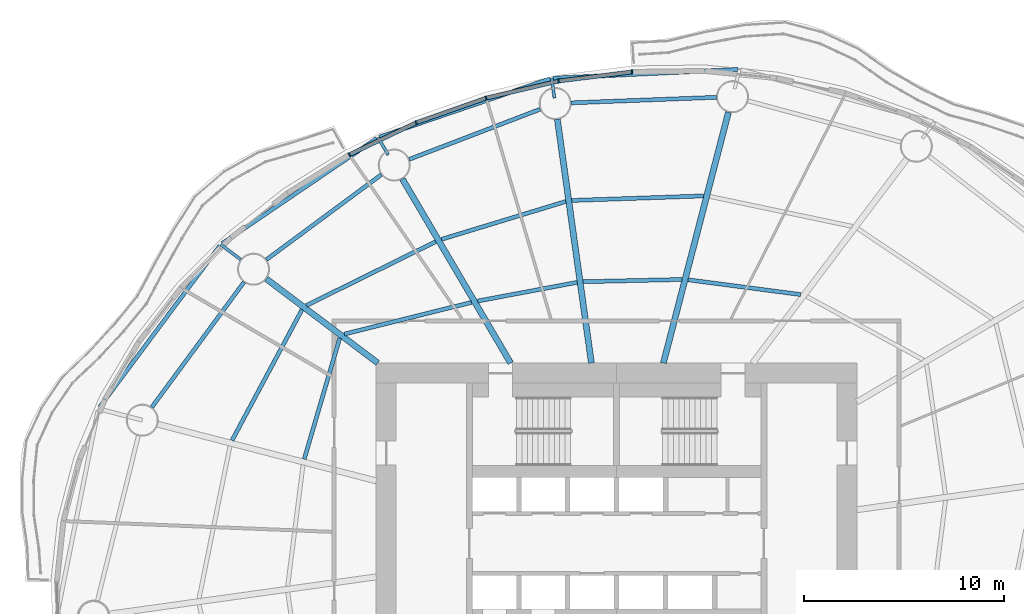
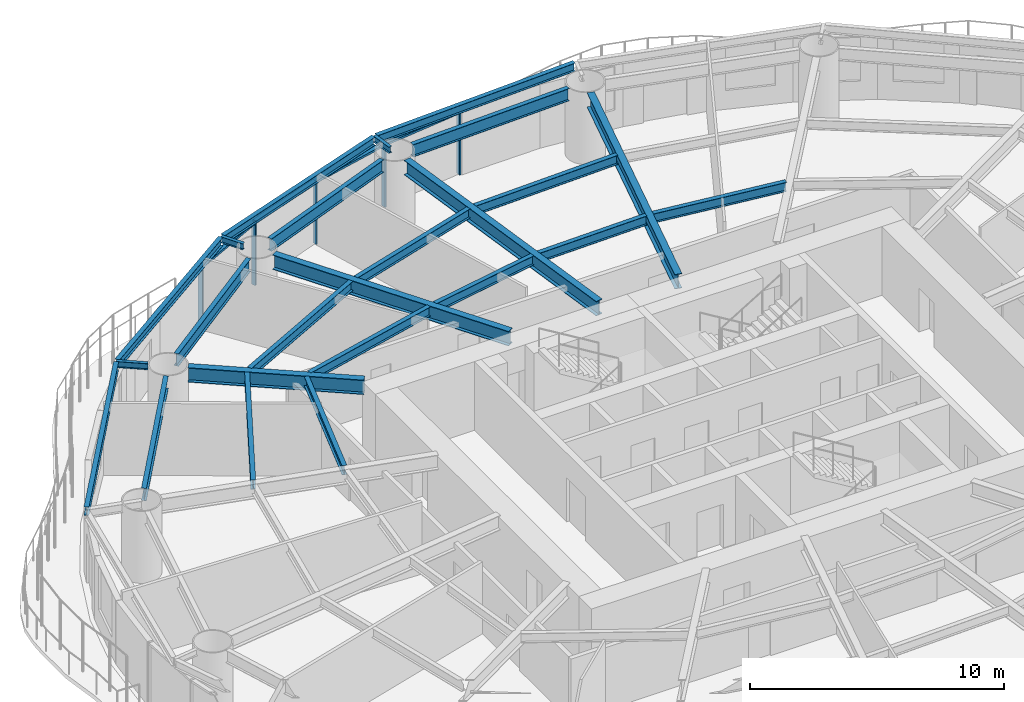
# One storey, part 4 of 16: 24 beams, 9 members, 4 elements without a shape of their own.
"""IFC4 building model written with IfcOpenShell, lengths in metres."""

from ifc_helpers import new_model, si_unit, direction, frame, origin, origin_2d, place, context, subcontext, project, spatial, rectangle, i_section, extrude, material, material_profile, profile_set, type_object, element, aggregate, save


model = new_model("IFC4")

# Units and contexts
model_context = context("Model", 3, precision=1e-05, world=origin(), true_north=direction((0.0, 1.0)))
body_context = subcontext(model_context, "Body", "Model", "MODEL_VIEW")
ifc_project = project(units=[si_unit("LENGTHUNIT", "METRE"), si_unit("AREAUNIT", "SQUARE_METRE"), si_unit("VOLUMEUNIT", "CUBIC_METRE"), si_unit("PLANEANGLEUNIT", "RADIAN"), si_unit("MASSUNIT", "GRAM", prefix="KILO")], contexts=[model_context])

# Site, building, storey
site_placement = place(None, origin())
site = spatial("IfcSite", under=ifc_project, at=site_placement, CompositionType="ELEMENT")
building_placement = place(site_placement, origin())
building = spatial("IfcBuilding", under=site, at=building_placement, Name="Vermilion Reach Broadcast Tower", CompositionType="ELEMENT")
storey_placement = place(building_placement, frame((0.0, 0.0, 99.39990234375)))
storey = spatial("IfcBuildingStorey", under=building, at=storey_placement, Name="L22", CompositionType="ELEMENT", Elevation=99.39990234375)

# Beams
ifc_material_1 = material(Name="Steel S355J2", Category="steel")
ifc_material_profile_1 = material_profile(ifc_material_1, i_section(OverallWidth=0.199951171875, OverallDepth=0.39990234375, WebThickness=0.008056640625, FlangeThickness=0.012939453125, at=origin_2d()), Name="S355J2 HN 400x200x8x13")
ifc_profile_set_1 = profile_set([ifc_material_profile_1], Name="Steel S355J2")
beam_type_1 = type_object("IfcBeamType", Name="EB2 HN 400x200x8x13", PredefinedType="BEAM", material=ifc_profile_set_1)
beam_1_placement = place(storey_placement, frame((0.061767578125, 23.65380859375, 3.25), z_axis=(-0.998890624316, -0.047090558003, 0.0), x_axis=(0.047090558003, -0.998890624316, 0.0)))
element("IfcBeam", 1, at=beam_1_placement, inside=storey, type_object=beam_type_1, Name="Edge beam EB2-03", PredefinedType="BEAM", context=body_context, shape_type="SweptSolid", body=[
    extrude(i_section(OverallWidth=0.199951171875, OverallDepth=0.39990234375, WebThickness=0.008056640625, FlangeThickness=0.012939453125, at=origin_2d()), origin(), (0.0, 0.0, 1.0), 9.23876953125),
])
beam_2_placement = place(storey_placement, frame((-9.314208984375, 23.190673828125, 3.25), z_axis=(-0.946284109578, -0.323336332571, 0.0), x_axis=(0.323336332571, -0.946284109578, 0.0)))
element("IfcBeam", 2, at=beam_2_placement, inside=storey, type_object=beam_type_1, Name="Edge beam EB2-04", PredefinedType="BEAM", context=body_context, shape_type="SweptSolid", body=[
    extrude(i_section(OverallWidth=0.199951171875, OverallDepth=0.39990234375, WebThickness=0.008056640625, FlangeThickness=0.012939453125, at=origin_2d()), origin(), (0.0, 0.0, 1.0), 9.004150390625),
])
beam_3_placement = place(storey_placement, frame((-17.96923828125, 20.21240234375, 3.25), z_axis=(-0.827161220219, -0.561964692633, 0.0), x_axis=(0.561964692633, -0.827161220219, 0.0)))
element("IfcBeam", 3, at=beam_3_placement, inside=storey, type_object=beam_type_1, Name="Edge beam EB2-05", PredefinedType="BEAM", context=body_context, shape_type="SweptSolid", body=[
    extrude(i_section(OverallWidth=0.199951171875, OverallDepth=0.39990234375, WebThickness=0.008056640625, FlangeThickness=0.012939453125, at=origin_2d()), origin(), (0.0, 0.0, 1.0), 9.34130859375),
])
beam_4_placement = place(storey_placement, frame((-25.806396484375, 14.858154296875, 3.25), z_axis=(-0.5973798961, -0.801958390277, 0.0), x_axis=(0.801958390277, -0.5973798961, 0.0)))
element("IfcBeam", 4, at=beam_4_placement, inside=storey, type_object=beam_type_1, Name="Edge beam EB2-06", PredefinedType="BEAM", context=body_context, shape_type="SweptSolid", body=[
    extrude(i_section(OverallWidth=0.199951171875, OverallDepth=0.39990234375, WebThickness=0.008056640625, FlangeThickness=0.012939453125, at=origin_2d()), origin(), (0.0, 0.0, 1.0), 10.0458984375),
])
ifc_material_2 = material(Name="Steel S355J2", Category="steel")
ifc_material_profile_2 = material_profile(ifc_material_2, i_section(OverallWidth=0.300048828125, OverallDepth=0.699951171875, WebThickness=0.012939453125, FlangeThickness=0.02392578125, at=origin_2d()), Name="S355J2 HN 700x300x13x24")
ifc_profile_set_2 = profile_set([ifc_material_profile_2], Name="Steel S355J2")
beam_type_2 = type_object("IfcBeamType", Name="G2 HN 700x300x13x24", PredefinedType="BEAM", material=ifc_profile_set_2)
beam_5_placement = place(storey_placement, frame((-3.6640625, 9.0, 3.10009765625), z_axis=(0.25121695316, 0.967930804575, 0.0), x_axis=(-0.967930804575, 0.25121695316, 0.0)))
element("IfcBeam", 5, at=beam_5_placement, inside=storey, type_object=beam_type_2, Name="Girder G2-03", PredefinedType="BEAM", context=body_context, shape_type="SweptSolid", body=[
    extrude(i_section(OverallWidth=0.300048828125, OverallDepth=0.699951171875, WebThickness=0.012939453125, FlangeThickness=0.02392578125, at=origin_2d()), origin(), (0.0, 0.0, 1.0), 12.93505859375),
])
beam_6_placement = place(storey_placement, frame((-7.2568359375, 9.0, 3.10009765625), z_axis=(-0.138317561234, 0.990387930184, 0.0), x_axis=(-0.990387930184, -0.138317561234, 0.0)))
element("IfcBeam", 6, at=beam_6_placement, inside=storey, type_object=beam_type_2, Name="Girder G2-04", PredefinedType="BEAM", context=body_context, shape_type="SweptSolid", body=[
    extrude(i_section(OverallWidth=0.300048828125, OverallDepth=0.699951171875, WebThickness=0.012939453125, FlangeThickness=0.02392578125, at=origin_2d()), origin(), (0.0, 0.0, 1.0), 12.281494140625),
])
beam_7_placement = place(storey_placement, frame((-11.290771484375, 9.0, 3.10009765625), z_axis=(-0.506783943634, 0.862073102744, 0.0), x_axis=(-0.862073102744, -0.506783943634, 0.0)))
element("IfcBeam", 7, at=beam_7_placement, inside=storey, type_object=beam_type_2, Name="Girder G2-05", PredefinedType="BEAM", context=body_context, shape_type="SweptSolid", body=[
    extrude(i_section(OverallWidth=0.300048828125, OverallDepth=0.699951171875, WebThickness=0.012939453125, FlangeThickness=0.02392578125, at=origin_2d()), origin(), (0.0, 0.0, 1.0), 10.661865234375),
])
beam_8_placement = place(storey_placement, frame((-17.921630859375, 9.0, 3.10009765625), z_axis=(-0.798113534072, 0.602507084382, 0.0), x_axis=(-0.602507084382, -0.798113534072, 0.0)))
element("IfcBeam", 8, at=beam_8_placement, inside=storey, type_object=beam_type_2, Name="Girder G2-06", PredefinedType="BEAM", context=body_context, shape_type="SweptSolid", body=[
    extrude(i_section(OverallWidth=0.300048828125, OverallDepth=0.699951171875, WebThickness=0.012939453125, FlangeThickness=0.02392578125, at=origin_2d()), origin(), (0.0, 0.0, 1.0), 6.971923828125),
])
ifc_material_3 = material(Name="Steel S355J2", Category="steel")
ifc_material_profile_3 = material_profile(ifc_material_3, i_section(OverallWidth=0.14990234375, OverallDepth=0.300048828125, WebThickness=0.006591796875, FlangeThickness=0.009033203125, at=origin_2d()), Name="S355J2 HN 300x150x6.5x9")
ifc_profile_set_3 = profile_set([ifc_material_profile_3], Name="Steel S355J2")
beam_type_3 = type_object("IfcBeamType", Name="GS2 HN 300x150x6.5x9", PredefinedType="BEAM", material=ifc_profile_set_3)
for number, where, z_axis, x_axis, name in (
    (9, (-9.103759765625, 22.224853515625, 3.300048828125), (-0.13817375644, 0.990408003315, 0.0), (-0.990408003315, -0.13817375644, 0.0), "Cantilever stub GS2-04"),
    (10, (-17.400390625, 19.392578125, 3.300048828125), (-0.506646610102, 0.862153821816, 0.0), (-0.862153821816, -0.506646610102, 0.0), "Cantilever stub GS2-05"),
):
    element("IfcBeam", number, at=place(storey_placement, frame(where, z_axis=z_axis, x_axis=x_axis)), inside=storey, type_object=beam_type_3, Name=name, PredefinedType="BEAM", context=body_context, shape_type="SweptSolid", body=[
        extrude(i_section(OverallWidth=0.14990234375, OverallDepth=0.300048828125, WebThickness=0.006591796875, FlangeThickness=0.009033203125, at=origin_2d()), origin(), (0.0, 0.0, 1.0), 1.0),
    ])
beam_9_placement = place(storey_placement, frame((-24.762939453125, 14.16455078125, 3.300048828125), z_axis=(-0.798075838613, 0.602557014582, 0.0), x_axis=(-0.602557014582, -0.798075838613, 0.0)))
element("IfcBeam", 11, at=beam_9_placement, inside=storey, type_object=beam_type_3, Name="Cantilever stub GS2-06", PredefinedType="BEAM", context=body_context, shape_type="SweptSolid", body=[
    extrude(i_section(OverallWidth=0.14990234375, OverallDepth=0.300048828125, WebThickness=0.006591796875, FlangeThickness=0.009033203125, at=origin_2d()), origin(), (0.0, 0.0, 1.0), 1.251220703125),
])
ifc_material_4 = material(Name="Steel S355J2", Category="steel")
ifc_material_profile_4 = material_profile(ifc_material_4, i_section(OverallWidth=0.199951171875, OverallDepth=0.60009765625, WebThickness=0.010986328125, FlangeThickness=0.01708984375, at=origin_2d()), Name="S355J2 HN 600x200x11x17")
ifc_profile_set_4 = profile_set([ifc_material_profile_4], Name="Steel S355J2")
beam_type_4 = type_object("IfcBeamType", Name="RB2 HN 600x200x11x17", PredefinedType="BEAM", material=ifc_profile_set_4)
beam_10_placement = place(storey_placement, frame((-1.012939453125, 22.263916015625, 3.150146484375), z_axis=(-0.999268558327, -0.038240663418, 0.0), x_axis=(0.038240663418, -0.999268558327, 0.0)))
element("IfcBeam", 12, at=beam_10_placement, inside=storey, type_object=beam_type_4, Name="Ring beam RB2-03", PredefinedType="BEAM", context=body_context, shape_type="SweptSolid", body=[
    extrude(i_section(OverallWidth=0.199951171875, OverallDepth=0.60009765625, WebThickness=0.010986328125, FlangeThickness=0.01708984375, at=origin_2d()), origin(), (0.0, 0.0, 1.0), 7.259033203125),
])
beam_11_placement = place(storey_placement, frame((-9.813232421875, 21.669677734375, 3.150146484375), z_axis=(-0.933939237212, -0.357431813353, 0.0), x_axis=(0.357431813353, -0.933939237212, 0.0)))
element("IfcBeam", 13, at=beam_11_placement, inside=storey, type_object=beam_type_4, Name="Ring beam RB2-04", PredefinedType="BEAM", context=body_context, shape_type="SweptSolid", body=[
    extrude(i_section(OverallWidth=0.199951171875, OverallDepth=0.60009765625, WebThickness=0.010986328125, FlangeThickness=0.01708984375, at=origin_2d()), origin(), (0.0, 0.0, 1.0), 7.001953125),
])
beam_12_placement = place(storey_placement, frame((-17.74267578125, 18.4052734375, 3.150146484375), z_axis=(-0.803832742218, -0.594855379515, 0.0), x_axis=(0.594855379515, -0.803832742218, 0.0)))
element("IfcBeam", 14, at=beam_12_placement, inside=storey, type_object=beam_type_4, Name="Ring beam RB2-05", PredefinedType="BEAM", context=body_context, shape_type="SweptSolid", body=[
    extrude(i_section(OverallWidth=0.199951171875, OverallDepth=0.60009765625, WebThickness=0.010986328125, FlangeThickness=0.01708984375, at=origin_2d()), origin(), (0.0, 0.0, 1.0), 7.13916015625),
])
beam_13_placement = place(storey_placement, frame((-24.59912109375, 13.03857421875, 3.150146484375), z_axis=(-0.593250534798, -0.80501788984, 0.0), x_axis=(0.80501788984, -0.593250534798, 0.0)))
element("IfcBeam", 15, at=beam_13_placement, inside=storey, type_object=beam_type_4, Name="Ring beam RB2-06", PredefinedType="BEAM", context=body_context, shape_type="SweptSolid", body=[
    extrude(i_section(OverallWidth=0.199951171875, OverallDepth=0.60009765625, WebThickness=0.010986328125, FlangeThickness=0.01708984375, at=origin_2d()), origin(), (0.0, 0.0, 1.0), 7.76220703125),
])
ifc_material_5 = material(Name="Steel S355J2", Category="steel")
ifc_material_profile_5 = material_profile(ifc_material_5, i_section(OverallWidth=0.199951171875, OverallDepth=0.449951171875, WebThickness=0.009033203125, FlangeThickness=0.013916015625, at=origin_2d()), Name="S355J2 HN 450x200x9x14")
ifc_profile_set_5 = profile_set([ifc_material_profile_5], Name="Steel S355J2")
beam_type_5 = type_object("IfcBeamType", Name="SB2 HN 450x200x9x14", PredefinedType="BEAM", material=ifc_profile_set_5)
beam_14_placement = place(storey_placement, frame((3.185546875, 12.416748046875, 3.22509765625), z_axis=(-0.991498686864, 0.130116693573, 0.0), x_axis=(-0.130116693573, -0.991498686864, 0.0)))
element("IfcBeam", 16, at=beam_14_placement, inside=storey, type_object=beam_type_5, Name="Secondary beam SB2-02-1", PredefinedType="BEAM", context=body_context, shape_type="SweptSolid", body=[
    extrude(i_section(OverallWidth=0.199951171875, OverallDepth=0.449951171875, WebThickness=0.009033203125, FlangeThickness=0.013916015625, at=origin_2d()), origin(), (0.0, 0.0, 1.0), 5.66455078125),
])
beam_15_placement = place(storey_placement, frame((-2.73681640625, 13.169921875, 3.22509765625), z_axis=(-0.999742320425, -0.022700060602, 0.0), x_axis=(0.022700060602, -0.999742320425, 0.0)))
element("IfcBeam", 17, at=beam_15_placement, inside=storey, type_object=beam_type_5, Name="Secondary beam SB2-03-1", PredefinedType="BEAM", context=body_context, shape_type="SweptSolid", body=[
    extrude(i_section(OverallWidth=0.199951171875, OverallDepth=0.449951171875, WebThickness=0.009033203125, FlangeThickness=0.013916015625, at=origin_2d()), origin(), (0.0, 0.0, 1.0), 4.9365234375),
])
beam_16_placement = place(storey_placement, frame((-1.654052734375, 17.34130859375, 3.22509765625), z_axis=(-0.999404722387, -0.03449928797, 0.0), x_axis=(0.03449928797, -0.999404722387, 0.0)))
element("IfcBeam", 18, at=beam_16_placement, inside=storey, type_object=beam_type_5, Name="Secondary beam SB2-03-2", PredefinedType="BEAM", context=body_context, shape_type="SweptSolid", body=[
    extrude(i_section(OverallWidth=0.199951171875, OverallDepth=0.449951171875, WebThickness=0.009033203125, FlangeThickness=0.013916015625, at=origin_2d()), origin(), (0.0, 0.0, 1.0), 6.58837890625),
])
beam_17_placement = place(storey_placement, frame((-7.970703125, 13.026611328125, 3.22509765625), z_axis=(-0.982782890015, -0.184764149915, 0.0), x_axis=(0.184764149915, -0.982782890015, 0.0)))
element("IfcBeam", 19, at=beam_17_placement, inside=storey, type_object=beam_type_5, Name="Secondary beam SB2-04-1", PredefinedType="BEAM", context=body_context, shape_type="SweptSolid", body=[
    extrude(i_section(OverallWidth=0.199951171875, OverallDepth=0.449951171875, WebThickness=0.009033203125, FlangeThickness=0.013916015625, at=origin_2d()), origin(), (0.0, 0.0, 1.0), 5.051513671875),
])
beam_18_placement = place(storey_placement, frame((-8.53466796875, 17.064697265625, 3.22509765625), z_axis=(-0.956596430605, -0.291415972374, 0.0), x_axis=(0.291415972374, -0.956596430605, 0.0)))
element("IfcBeam", 20, at=beam_18_placement, inside=storey, type_object=beam_type_5, Name="Secondary beam SB2-04-2", PredefinedType="BEAM", context=body_context, shape_type="SweptSolid", body=[
    extrude(i_section(OverallWidth=0.199951171875, OverallDepth=0.449951171875, WebThickness=0.009033203125, FlangeThickness=0.013916015625, at=origin_2d()), origin(), (0.0, 0.0, 1.0), 6.49267578125),
])
beam_19_placement = place(storey_placement, frame((-13.24365234375, 12.026123046875, 3.22509765625), z_axis=(-0.970396717612, -0.241516480695, 0.0), x_axis=(0.241516480695, -0.970396717612, 0.0)))
element("IfcBeam", 21, at=beam_19_placement, inside=storey, type_object=beam_type_5, Name="Secondary beam SB2-05-1", PredefinedType="BEAM", context=body_context, shape_type="SweptSolid", body=[
    extrude(i_section(OverallWidth=0.199951171875, OverallDepth=0.449951171875, WebThickness=0.009033203125, FlangeThickness=0.013916015625, at=origin_2d()), origin(), (0.0, 0.0, 1.0), 6.539306640625),
])
beam_20_placement = place(storey_placement, frame((-15.02783203125, 15.06103515625, 3.22509765625), z_axis=(-0.896648255868, -0.442743611189, 0.0), x_axis=(0.442743611189, -0.896648255868, 0.0)))
element("IfcBeam", 22, at=beam_20_placement, inside=storey, type_object=beam_type_5, Name="Secondary beam SB2-05-2", PredefinedType="BEAM", context=body_context, shape_type="SweptSolid", body=[
    extrude(i_section(OverallWidth=0.199951171875, OverallDepth=0.449951171875, WebThickness=0.009033203125, FlangeThickness=0.013916015625, at=origin_2d()), origin(), (0.0, 0.0, 1.0), 7.19677734375),
])
beam_21_placement = place(storey_placement, frame((-19.821533203125, 10.246337890625, 3.22509765625), z_axis=(-0.281175657723, -0.959656318431, 0.0), x_axis=(0.959656318431, -0.281175657723, 0.0)))
element("IfcBeam", 23, at=beam_21_placement, inside=storey, type_object=beam_type_5, Name="Secondary beam SB2-06-1", PredefinedType="BEAM", context=body_context, shape_type="SweptSolid", body=[
    extrude(i_section(OverallWidth=0.199951171875, OverallDepth=0.449951171875, WebThickness=0.009033203125, FlangeThickness=0.013916015625, at=origin_2d()), origin(), (0.0, 0.0, 1.0), 6.298583984375),
])
beam_22_placement = place(storey_placement, frame((-21.702880859375, 11.66650390625, 3.22509765625), z_axis=(-0.471821551693, -0.881694064491, 0.0), x_axis=(0.881694064491, -0.471821551693, 0.0)))
element("IfcBeam", 24, at=beam_22_placement, inside=storey, type_object=beam_type_5, Name="Secondary beam SB2-06-2", PredefinedType="BEAM", context=body_context, shape_type="SweptSolid", body=[
    extrude(i_section(OverallWidth=0.199951171875, OverallDepth=0.449951171875, WebThickness=0.009033203125, FlangeThickness=0.013916015625, at=origin_2d()), origin(), (0.0, 0.0, 1.0), 7.405029296875),
])

# Curtain wall, member
ifc_material_6 = material(Name="Low-e laminated clear glass in aluminium frame", Category="aluminium")
curtain_wall_type = type_object("IfcCurtainWallType", Name="Slot curtain wall", PredefinedType="NOTDEFINED", material=ifc_material_6)
placement = place(storey_placement, origin())
curtain_wall_1 = element("IfcCurtainWall", 25, at=placement, inside=storey, type_object=curtain_wall_type, Name="Slot curtain wall L22 10", PredefinedType="NOTDEFINED")
ifc_material_7 = material(Name="Anodised aluminium", Category="aluminium")
ifc_material_profile_6 = material_profile(ifc_material_7, rectangle(XDim=0.199951171875, YDim=0.080078125, at=origin_2d()), Name="Slot mullion 80 x 200")
ifc_profile_set_6 = profile_set([ifc_material_profile_6], Name="Anodised aluminium")
member_type_1 = type_object("IfcMemberType", Name="Slot mullion 80 x 200", PredefinedType="MULLION", material=ifc_profile_set_6)
member_1_placement = place(storey_placement, frame((-5.23583984375, 23.530029296875, 0.0), z_axis=(0.0, 0.0, 1.0), x_axis=(0.068346083357, -0.997661672557, 0.0)))
member_1 = element("IfcMember", 26, at=member_1_placement, type_object=member_type_1, Name="Slot mullion L22 10", PredefinedType="MULLION", context=body_context, shape_type="SweptSolid", body=[
    extrude(rectangle(XDim=0.199951171875, YDim=0.080078125, at=origin_2d()), origin(), (0.0, 0.0, 1.0), 3.050048828125),
])

curtain_wall_2 = element("IfcCurtainWall", 27, at=placement, inside=storey, type_object=curtain_wall_type, Name="Slot curtain wall L22 11", PredefinedType="NOTDEFINED")
member_2_placement = place(storey_placement, frame((-8.896728515625, 23.076416015625, 0.0), z_axis=(0.0, 0.0, 1.0), x_axis=(0.176295676476, -0.98433725646, 0.0)))
member_2 = element("IfcMember", 28, at=member_2_placement, type_object=member_type_1, Name="Slot mullion L22 11", PredefinedType="MULLION", context=body_context, shape_type="SweptSolid", body=[
    extrude(rectangle(XDim=0.199951171875, YDim=0.080078125, at=origin_2d()), origin(), (0.0, 0.0, 1.0), 3.050048828125),
])

curtain_wall_3 = element("IfcCurtainWall", 29, at=placement, inside=storey, type_object=curtain_wall_type, Name="Slot curtain wall L22 12", PredefinedType="NOTDEFINED")
member_3_placement = place(storey_placement, frame((-12.5078125, 22.226318359375, 0.0), z_axis=(0.0, 0.0, 1.0), x_axis=(0.281001745356, -0.959707256983, 0.0)))
member_3 = element("IfcMember", 30, at=member_3_placement, type_object=member_type_1, Name="Slot mullion L22 12", PredefinedType="MULLION", context=body_context, shape_type="SweptSolid", body=[
    extrude(rectangle(XDim=0.199951171875, YDim=0.080078125, at=origin_2d()), origin(), (0.0, 0.0, 1.0), 3.050048828125),
])

# Curtain wall, members
curtain_wall_4 = element("IfcCurtainWall", 31, at=placement, inside=storey, type_object=curtain_wall_type, Name="Slot curtain wall L22 13", PredefinedType="NOTDEFINED")
member_4_placement = place(storey_placement, frame((-16.00732421875, 20.994384765625, 0.0), z_axis=(0.0, 0.0, 1.0), x_axis=(0.382456538435, -0.923973482416, 0.0)))
member_4 = element("IfcMember", 32, at=member_4_placement, type_object=member_type_1, Name="Slot mullion L22 13", PredefinedType="MULLION", context=body_context, shape_type="SweptSolid", body=[
    extrude(rectangle(XDim=0.199951171875, YDim=0.080078125, at=origin_2d()), origin(), (0.0, 0.0, 1.0), 3.050048828125),
])
member_5_placement = place(storey_placement, frame((-19.33447265625, 19.40185546875, 0.0), z_axis=(0.0, 0.0, 1.0), x_axis=(0.48054495979, -0.876970091634, 0.0)))
member_5 = element("IfcMember", 33, at=member_5_placement, type_object=member_type_1, Name="Slot mullion L22 14", PredefinedType="MULLION", context=body_context, shape_type="SweptSolid", body=[
    extrude(rectangle(XDim=0.199951171875, YDim=0.080078125, at=origin_2d()), origin(), (0.0, 0.0, 1.0), 3.050048828125),
])

# Member
ifc_material_8 = material(Name="Anodised aluminium", Category="aluminium")
ifc_material_profile_7 = material_profile(ifc_material_8, rectangle(XDim=0.199951171875, YDim=0.10009765625, at=origin_2d()), Name="Slot transom 200 x 100")
ifc_profile_set_7 = profile_set([ifc_material_profile_7], Name="Anodised aluminium")
member_type_2 = type_object("IfcMemberType", Name="Slot transom 200 x 100", PredefinedType="USERDEFINED", material=ifc_profile_set_7)
member_6_placement = place(storey_placement, frame((-5.275634765625, 23.525146484375, 3.0), z_axis=(-0.992407433498, -0.122993845122, 0.0), x_axis=(0.122993845122, -0.992407433498, 0.0)))
member_6 = element("IfcMember", 34, at=member_6_placement, type_object=member_type_2, Name="Slot transom L22 10.1", ObjectType="TRANSOM", PredefinedType="USERDEFINED", context=body_context, shape_type="SweptSolid", body=[
    extrude(rectangle(XDim=0.199951171875, YDim=0.10009765625, at=origin_2d()), origin(), (0.0, 0.0, 1.0), 3.608642578125),
])

aggregate(curtain_wall_1, [member_1, member_6])

member_7_placement = place(storey_placement, frame((-8.935546875, 23.0673828125, 3.0), z_axis=(-0.973393347899, -0.22914054697, 0.0), x_axis=(0.22914054697, -0.973393347899, 0.0)))
member_7 = element("IfcMember", 35, at=member_7_placement, type_object=member_type_2, Name="Slot transom L22 11.1", ObjectType="TRANSOM", PredefinedType="USERDEFINED", context=body_context, shape_type="SweptSolid", body=[
    extrude(rectangle(XDim=0.199951171875, YDim=0.10009765625, at=origin_2d()), origin(), (0.0, 0.0, 1.0), 3.630126953125),
])

aggregate(curtain_wall_2, [member_2, member_7])

member_8_placement = place(storey_placement, frame((-12.545654296875, 22.213134765625, 3.0), z_axis=(-0.943257001446, -0.332063592138, 0.0), x_axis=(0.332063592138, -0.943257001446, 0.0)))
member_8 = element("IfcMember", 36, at=member_8_placement, type_object=member_type_2, Name="Slot transom L22 12.1", ObjectType="TRANSOM", PredefinedType="USERDEFINED", context=body_context, shape_type="SweptSolid", body=[
    extrude(rectangle(XDim=0.199951171875, YDim=0.10009765625, at=origin_2d()), origin(), (0.0, 0.0, 1.0), 3.6298828125),
])

aggregate(curtain_wall_3, [member_3, member_8])

member_9_placement = place(storey_placement, frame((-16.04345703125, 20.977294921875, 3.0), z_axis=(-0.901993355026, -0.431749913131, 0.0), x_axis=(0.431749913131, -0.901993355026, 0.0)))
member_9 = element("IfcMember", 37, at=member_9_placement, type_object=member_type_2, Name="Slot transom L22 13.1", ObjectType="TRANSOM", PredefinedType="USERDEFINED", context=body_context, shape_type="SweptSolid", body=[
    extrude(rectangle(XDim=0.199951171875, YDim=0.10009765625, at=origin_2d()), origin(), (0.0, 0.0, 1.0), 3.60888671875),
])

aggregate(curtain_wall_4, [member_4, member_5, member_9])

save(model, "model.ifc")
